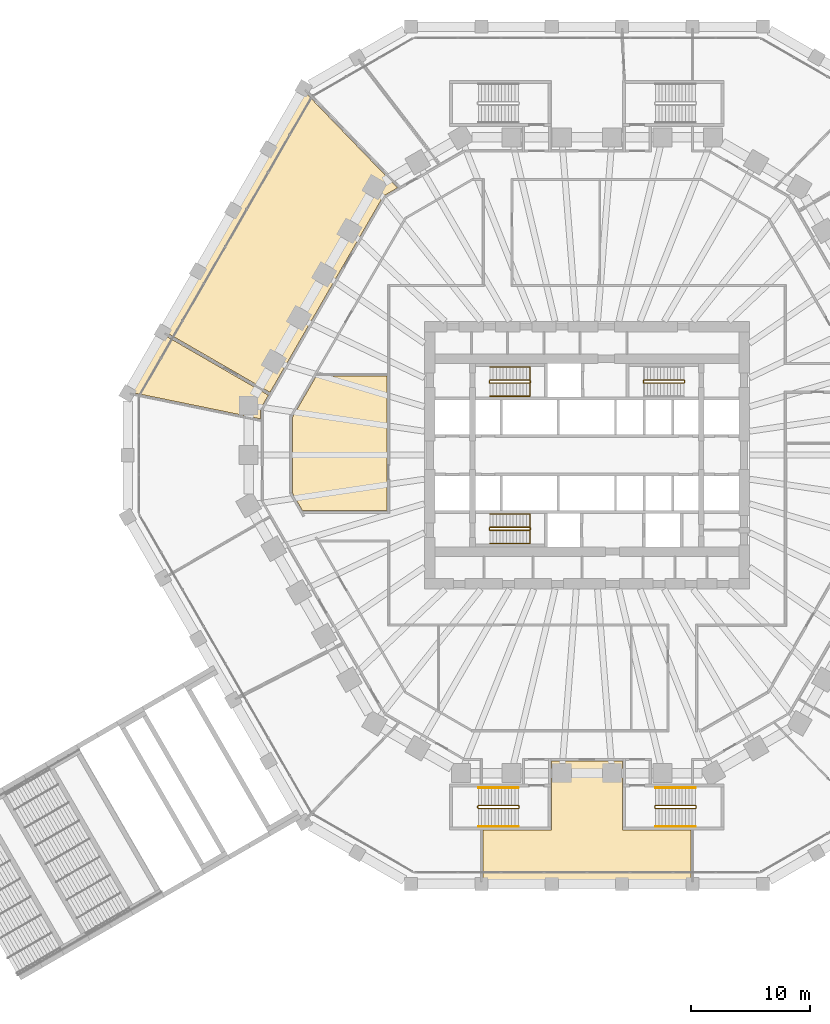
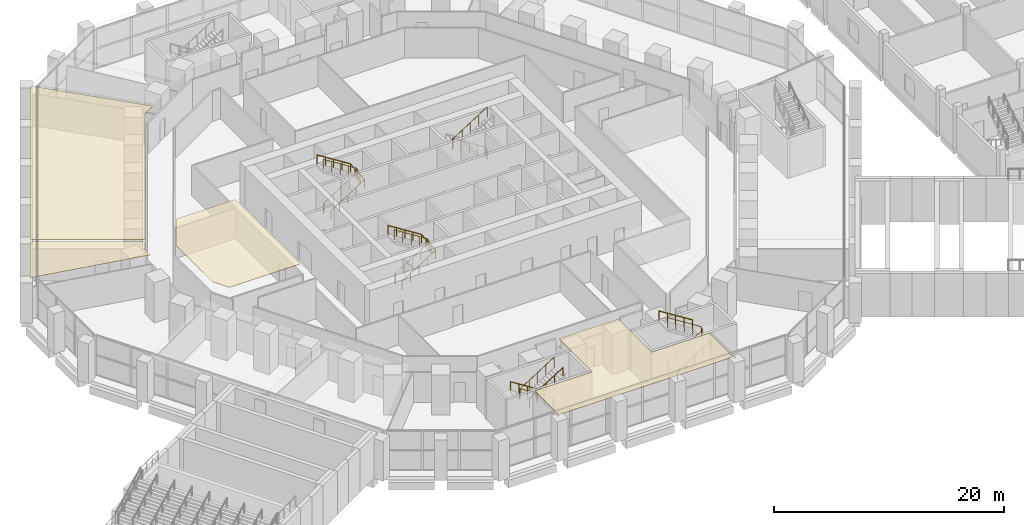
# One storey, part 33 of 38: 11 railings, 4 coverings.
"""IFC4 building model written with IfcOpenShell, lengths in metres."""

from ifc_helpers import new_model, si_unit, direction, frame, origin, origin_2d, place, context, subcontext, project, spatial, polyline, circle, outline, extrude, material, layer, layer_set, type_object, element, save


model = new_model("IFC4")

# Units and contexts
model_context = context("Model", 3, precision=1e-05, world=origin(), true_north=direction((0.0, 1.0)))
body_context = subcontext(model_context, "Body", "Model", "MODEL_VIEW")
ifc_project = project(units=[si_unit("LENGTHUNIT", "METRE"), si_unit("AREAUNIT", "SQUARE_METRE"), si_unit("VOLUMEUNIT", "CUBIC_METRE"), si_unit("PLANEANGLEUNIT", "RADIAN"), si_unit("MASSUNIT", "GRAM", prefix="KILO")], contexts=[model_context])

# Site, building, storey
site_placement = place(None, origin())
site = spatial("IfcSite", under=ifc_project, at=site_placement, CompositionType="ELEMENT")
building_placement = place(site_placement, origin())
building = spatial("IfcBuilding", under=site, at=building_placement, Name="Frailejon Research Tower", CompositionType="ELEMENT")
storey_placement = place(building_placement, frame((0.0, 0.0, 5.60009765625)))
storey = spatial("IfcBuildingStorey", under=building, at=storey_placement, Name="L01", CompositionType="ELEMENT", Elevation=5.60009765625)

# Railings
ifc_material_1 = material(Name="Stainless steel", Category="steel")
railing_type_1 = type_object("IfcRailingType", Name="Stair guard 1100", PredefinedType="GUARDRAIL", material=ifc_material_1)
railing_1_placement = place(storey_placement, frame((-8.199951171875, 6.25, 0.0)))
element("IfcRailing", 1, at=railing_1_placement, inside=storey, type_object=railing_type_1, Name="L01 ST1 stair guard 1", PredefinedType="GUARDRAIL", context=body_context, shape_type="SweptSolid", body=[
    extrude(circle(Radius=0.02392578125, at=origin_2d()), frame((0.0, 0.0, 1.076171875), z_axis=(0.0, -1.0, 0.0), x_axis=(1.0, 0.0, 0.0)), (0.0, 0.0, 1.0), 0.14990234375),
    extrude(circle(Radius=0.02392578125, at=origin_2d()), frame((0.0, -0.14990234375, 1.076171875), z_axis=(0.262858103699, -0.262858103699, 0.928337888185), x_axis=(0.707106781187, 0.707106781187, 0.0)), (0.0, 0.0, 1.0), 0.1904296875),
    extrude(circle(Radius=0.02392578125, at=origin_2d()), frame((0.050048828125, -0.199951171875, 1.2529296875), z_axis=(0.845372108799, 0.0, 0.534177870812), x_axis=(0.0, 1.0, 0.0)), (0.0, 0.0, 1.0), 3.974365234375),
    extrude(circle(Radius=0.02392578125, at=origin_2d()), frame((3.409912109375, -0.199951171875, 3.3759765625), z_axis=(0.707106781187, 0.707106781187, 0.0), x_axis=(-0.707106781187, 0.707106781187, 0.0)), (0.0, 0.0, 1.0), 0.07080078125),
    extrude(circle(Radius=0.02392578125, at=origin_2d()), frame((3.4599609375, -0.14990234375, 3.3759765625), z_axis=(0.0, 1.0, 0.0), x_axis=(-1.0, 0.0, 0.0)), (0.0, 0.0, 1.0), 0.14990234375),
    extrude(circle(Radius=0.02392578125, at=origin_2d()), frame((3.4599609375, 0.0, 3.3759765625), z_axis=(-0.262545553595, 0.262545553595, 0.928514762713), x_axis=(-0.707106781187, -0.707106781187, 0.0)), (0.0, 0.0, 1.0), 0.190673828125),
    extrude(circle(Radius=0.02392578125, at=origin_2d()), frame((3.409912109375, 0.050048828125, 3.552734375), z_axis=(-0.845372108799, 0.0, 0.534177870812), x_axis=(0.0, -1.0, 0.0)), (0.0, 0.0, 1.0), 3.974365234375),
    extrude(circle(Radius=0.02099609375, at=origin_2d()), origin(), (0.0, 0.0, 1.0), 1.052001953125),
    extrude(circle(Radius=0.02099609375, at=origin_2d()), frame((0.0, -0.14990234375, 0.0)), (0.0, 0.0, 1.0), 1.052001953125),
    extrude(circle(Radius=0.02099609375, at=origin_2d()), frame((0.050048828125, -0.199951171875, 0.1767578125)), (0.0, 0.0, 1.0), 1.052001953125),
    extrude(circle(Radius=0.02099609375, at=origin_2d()), frame((0.89013671875, -0.199951171875, 0.70751953125)), (0.0, 0.0, 1.0), 1.052001953125),
    extrude(circle(Radius=0.02099609375, at=origin_2d()), frame((1.72998046875, -0.199951171875, 1.23828125)), (0.0, 0.0, 1.0), 1.052001953125),
    extrude(circle(Radius=0.02099609375, at=origin_2d()), frame((2.56982421875, -0.199951171875, 1.76904296875)), (0.0, 0.0, 1.0), 1.052001953125),
    extrude(circle(Radius=0.02099609375, at=origin_2d()), frame((3.409912109375, -0.199951171875, 2.2998046875)), (0.0, 0.0, 1.0), 1.052001953125),
    extrude(circle(Radius=0.02099609375, at=origin_2d()), frame((3.4599609375, -0.14990234375, 2.2998046875)), (0.0, 0.0, 1.0), 1.052001953125),
    extrude(circle(Radius=0.02099609375, at=origin_2d()), frame((3.4599609375, 0.0, 2.2998046875)), (0.0, 0.0, 1.0), 1.052001953125),
    extrude(circle(Radius=0.02099609375, at=origin_2d()), frame((3.409912109375, 0.050048828125, 2.476806640625)), (0.0, 0.0, 1.0), 1.052001953125),
    extrude(circle(Radius=0.02099609375, at=origin_2d()), frame((2.56982421875, 0.050048828125, 3.007568359375)), (0.0, 0.0, 1.0), 1.052001953125),
    extrude(circle(Radius=0.02099609375, at=origin_2d()), frame((1.72998046875, 0.050048828125, 3.538330078125)), (0.0, 0.0, 1.0), 1.052001953125),
    extrude(circle(Radius=0.02099609375, at=origin_2d()), frame((0.89013671875, 0.050048828125, 4.069091796875)), (0.0, 0.0, 1.0), 1.052001953125),
    extrude(circle(Radius=0.02099609375, at=origin_2d()), frame((0.050048828125, 0.050048828125, 4.599853515625)), (0.0, 0.0, 1.0), 1.052001953125),
])
railing_2_placement = place(storey_placement, frame((-8.199951171875, -6.10009765625, 0.0)))
element("IfcRailing", 2, at=railing_2_placement, inside=storey, type_object=railing_type_1, Name="L01 ST2 stair guard 1", PredefinedType="GUARDRAIL", context=body_context, shape_type="SweptSolid", body=[
    extrude(circle(Radius=0.02392578125, at=origin_2d()), frame((0.0, 0.0, 1.076171875), z_axis=(0.0, -1.0, 0.0), x_axis=(1.0, 0.0, 0.0)), (0.0, 0.0, 1.0), 0.14990234375),
    extrude(circle(Radius=0.02392578125, at=origin_2d()), frame((0.0, -0.14990234375, 1.076171875), z_axis=(0.262858103699, -0.262858103699, 0.928337888185), x_axis=(0.707106781187, 0.707106781187, 0.0)), (0.0, 0.0, 1.0), 0.1904296875),
    extrude(circle(Radius=0.02392578125, at=origin_2d()), frame((0.050048828125, -0.199951171875, 1.2529296875), z_axis=(0.845372108799, 0.0, 0.534177870812), x_axis=(0.0, 1.0, 0.0)), (0.0, 0.0, 1.0), 3.974365234375),
    extrude(circle(Radius=0.02392578125, at=origin_2d()), frame((3.409912109375, -0.199951171875, 3.3759765625), z_axis=(0.707106781187, 0.707106781187, 0.0), x_axis=(-0.707106781187, 0.707106781187, 0.0)), (0.0, 0.0, 1.0), 0.07080078125),
    extrude(circle(Radius=0.02392578125, at=origin_2d()), frame((3.4599609375, -0.14990234375, 3.3759765625), z_axis=(0.0, 1.0, 0.0), x_axis=(-1.0, 0.0, 0.0)), (0.0, 0.0, 1.0), 0.14990234375),
    extrude(circle(Radius=0.02392578125, at=origin_2d()), frame((3.4599609375, 0.0, 3.3759765625), z_axis=(-0.262545553595, 0.262545553595, 0.928514762713), x_axis=(-0.707106781187, -0.707106781187, 0.0)), (0.0, 0.0, 1.0), 0.190673828125),
    extrude(circle(Radius=0.02392578125, at=origin_2d()), frame((3.409912109375, 0.050048828125, 3.552734375), z_axis=(-0.845372108799, 0.0, 0.534177870812), x_axis=(0.0, -1.0, 0.0)), (0.0, 0.0, 1.0), 3.974365234375),
    extrude(circle(Radius=0.02099609375, at=origin_2d()), origin(), (0.0, 0.0, 1.0), 1.052001953125),
    extrude(circle(Radius=0.02099609375, at=origin_2d()), frame((0.0, -0.14990234375, 0.0)), (0.0, 0.0, 1.0), 1.052001953125),
    extrude(circle(Radius=0.02099609375, at=origin_2d()), frame((0.050048828125, -0.199951171875, 0.1767578125)), (0.0, 0.0, 1.0), 1.052001953125),
    extrude(circle(Radius=0.02099609375, at=origin_2d()), frame((0.89013671875, -0.199951171875, 0.70751953125)), (0.0, 0.0, 1.0), 1.052001953125),
    extrude(circle(Radius=0.02099609375, at=origin_2d()), frame((1.72998046875, -0.199951171875, 1.23828125)), (0.0, 0.0, 1.0), 1.052001953125),
    extrude(circle(Radius=0.02099609375, at=origin_2d()), frame((2.56982421875, -0.199951171875, 1.76904296875)), (0.0, 0.0, 1.0), 1.052001953125),
    extrude(circle(Radius=0.02099609375, at=origin_2d()), frame((3.409912109375, -0.199951171875, 2.2998046875)), (0.0, 0.0, 1.0), 1.052001953125),
    extrude(circle(Radius=0.02099609375, at=origin_2d()), frame((3.4599609375, -0.14990234375, 2.2998046875)), (0.0, 0.0, 1.0), 1.052001953125),
    extrude(circle(Radius=0.02099609375, at=origin_2d()), frame((3.4599609375, 0.0, 2.2998046875)), (0.0, 0.0, 1.0), 1.052001953125),
    extrude(circle(Radius=0.02099609375, at=origin_2d()), frame((3.409912109375, 0.050048828125, 2.476806640625)), (0.0, 0.0, 1.0), 1.052001953125),
    extrude(circle(Radius=0.02099609375, at=origin_2d()), frame((2.56982421875, 0.050048828125, 3.007568359375)), (0.0, 0.0, 1.0), 1.052001953125),
    extrude(circle(Radius=0.02099609375, at=origin_2d()), frame((1.72998046875, 0.050048828125, 3.538330078125)), (0.0, 0.0, 1.0), 1.052001953125),
    extrude(circle(Radius=0.02099609375, at=origin_2d()), frame((0.89013671875, 0.050048828125, 4.069091796875)), (0.0, 0.0, 1.0), 1.052001953125),
    extrude(circle(Radius=0.02099609375, at=origin_2d()), frame((0.050048828125, 0.050048828125, 4.599853515625)), (0.0, 0.0, 1.0), 1.052001953125),
])
railing_3_placement = place(storey_placement, frame((8.199951171875, 6.10009765625, 0.0)))
element("IfcRailing", 3, at=railing_3_placement, inside=storey, type_object=railing_type_1, Name="L01 ST3 stair guard 1", PredefinedType="GUARDRAIL", context=body_context, shape_type="SweptSolid", body=[
    extrude(circle(Radius=0.02392578125, at=origin_2d()), frame((0.0, 0.0, 1.076171875), z_axis=(0.0, 1.0, 0.0), x_axis=(-1.0, 0.0, 0.0)), (0.0, 0.0, 1.0), 0.14990234375),
    extrude(circle(Radius=0.02392578125, at=origin_2d()), frame((0.0, 0.14990234375, 1.076171875), z_axis=(-0.262858103699, 0.262858103699, 0.928337888185), x_axis=(-0.707106781187, -0.707106781187, 0.0)), (0.0, 0.0, 1.0), 0.1904296875),
    extrude(circle(Radius=0.02392578125, at=origin_2d()), frame((-0.050048828125, 0.199951171875, 1.2529296875), z_axis=(-0.845372108799, 0.0, 0.534177870812), x_axis=(0.0, -1.0, 0.0)), (0.0, 0.0, 1.0), 3.974365234375),
    extrude(circle(Radius=0.02392578125, at=origin_2d()), frame((-3.409912109375, 0.199951171875, 3.3759765625), z_axis=(-0.707106781187, -0.707106781187, 0.0), x_axis=(0.707106781187, -0.707106781187, 0.0)), (0.0, 0.0, 1.0), 0.07080078125),
    extrude(circle(Radius=0.02392578125, at=origin_2d()), frame((-3.4599609375, 0.14990234375, 3.3759765625), z_axis=(0.0, -1.0, 0.0), x_axis=(1.0, 0.0, 0.0)), (0.0, 0.0, 1.0), 0.14990234375),
    extrude(circle(Radius=0.02392578125, at=origin_2d()), frame((-3.4599609375, 0.0, 3.3759765625), z_axis=(0.262545553595, -0.262545553595, 0.928514762713), x_axis=(0.707106781187, 0.707106781187, 0.0)), (0.0, 0.0, 1.0), 0.190673828125),
    extrude(circle(Radius=0.02392578125, at=origin_2d()), frame((-3.409912109375, -0.050048828125, 3.552734375), z_axis=(0.845372108799, 0.0, 0.534177870812), x_axis=(0.0, 1.0, 0.0)), (0.0, 0.0, 1.0), 3.974365234375),
    extrude(circle(Radius=0.02099609375, at=origin_2d()), origin(), (0.0, 0.0, 1.0), 1.052001953125),
    extrude(circle(Radius=0.02099609375, at=origin_2d()), frame((0.0, 0.14990234375, 0.0)), (0.0, 0.0, 1.0), 1.052001953125),
    extrude(circle(Radius=0.02099609375, at=origin_2d()), frame((-0.050048828125, 0.199951171875, 0.1767578125)), (0.0, 0.0, 1.0), 1.052001953125),
    extrude(circle(Radius=0.02099609375, at=origin_2d()), frame((-0.89013671875, 0.199951171875, 0.70751953125)), (0.0, 0.0, 1.0), 1.052001953125),
    extrude(circle(Radius=0.02099609375, at=origin_2d()), frame((-1.72998046875, 0.199951171875, 1.23828125)), (0.0, 0.0, 1.0), 1.052001953125),
    extrude(circle(Radius=0.02099609375, at=origin_2d()), frame((-2.56982421875, 0.199951171875, 1.76904296875)), (0.0, 0.0, 1.0), 1.052001953125),
    extrude(circle(Radius=0.02099609375, at=origin_2d()), frame((-3.409912109375, 0.199951171875, 2.2998046875)), (0.0, 0.0, 1.0), 1.052001953125),
    extrude(circle(Radius=0.02099609375, at=origin_2d()), frame((-3.4599609375, 0.14990234375, 2.2998046875)), (0.0, 0.0, 1.0), 1.052001953125),
    extrude(circle(Radius=0.02099609375, at=origin_2d()), frame((-3.4599609375, 0.0, 2.2998046875)), (0.0, 0.0, 1.0), 1.052001953125),
    extrude(circle(Radius=0.02099609375, at=origin_2d()), frame((-3.409912109375, -0.050048828125, 2.476806640625)), (0.0, 0.0, 1.0), 1.052001953125),
    extrude(circle(Radius=0.02099609375, at=origin_2d()), frame((-2.56982421875, -0.050048828125, 3.007568359375)), (0.0, 0.0, 1.0), 1.052001953125),
    extrude(circle(Radius=0.02099609375, at=origin_2d()), frame((-1.72998046875, -0.050048828125, 3.538330078125)), (0.0, 0.0, 1.0), 1.052001953125),
    extrude(circle(Radius=0.02099609375, at=origin_2d()), frame((-0.89013671875, -0.050048828125, 4.069091796875)), (0.0, 0.0, 1.0), 1.052001953125),
    extrude(circle(Radius=0.02099609375, at=origin_2d()), frame((-0.050048828125, -0.050048828125, 4.599853515625)), (0.0, 0.0, 1.0), 1.052001953125),
])
railing_4_placement = place(storey_placement, frame((-5.70703125, -29.625, 0.0)))
element("IfcRailing", 4, at=railing_4_placement, inside=storey, type_object=railing_type_1, Name="L01 PS3 stair guard 1", PredefinedType="GUARDRAIL", context=body_context, shape_type="SweptSolid", body=[
    extrude(circle(Radius=0.02392578125, at=origin_2d()), frame((0.0, 0.0, 1.076171875), z_axis=(0.0, 1.0, 0.0), x_axis=(-1.0, 0.0, 0.0)), (0.0, 0.0, 1.0), 0.14990234375),
    extrude(circle(Radius=0.02392578125, at=origin_2d()), frame((0.0, 0.14990234375, 1.076171875), z_axis=(-0.261663861435, 0.262946527422, 0.928650174897), x_axis=(-0.708833529934, -0.705375805398, 0.0)), (0.0, 0.0, 1.0), 0.1904296875),
    extrude(circle(Radius=0.02392578125, at=origin_2d()), frame((-0.0498046875, 0.199951171875, 1.2529296875), z_axis=(-0.845389635667, 0.0, 0.534150132366), x_axis=(0.0, -1.0, 0.0)), (0.0, 0.0, 1.0), 3.974609375),
    extrude(circle(Radius=0.02392578125, at=origin_2d()), frame((-3.409912109375, 0.199951171875, 3.3759765625), z_axis=(-0.707106781187, -0.707106781187, 0.0), x_axis=(0.707106781187, -0.707106781187, 0.0)), (0.0, 0.0, 1.0), 0.07080078125),
    extrude(circle(Radius=0.02392578125, at=origin_2d()), frame((-3.4599609375, 0.14990234375, 3.3759765625), z_axis=(0.0, -1.0, 0.0), x_axis=(1.0, 0.0, 0.0)), (0.0, 0.0, 1.0), 0.14990234375),
    extrude(circle(Radius=0.02392578125, at=origin_2d()), frame((-3.4599609375, 0.0, 3.3759765625), z_axis=(0.262545553595, -0.262545553595, 0.928514762713), x_axis=(0.707106781187, 0.707106781187, 0.0)), (0.0, 0.0, 1.0), 0.190673828125),
    extrude(circle(Radius=0.02392578125, at=origin_2d()), frame((-3.409912109375, -0.050048828125, 3.552734375), z_axis=(0.845389635667, 0.0, 0.534150132366), x_axis=(0.0, 1.0, 0.0)), (0.0, 0.0, 1.0), 3.974609375),
    extrude(circle(Radius=0.02099609375, at=origin_2d()), origin(), (0.0, 0.0, 1.0), 1.052001953125),
    extrude(circle(Radius=0.02099609375, at=origin_2d()), frame((0.0, 0.14990234375, 0.0)), (0.0, 0.0, 1.0), 1.052001953125),
    extrude(circle(Radius=0.02099609375, at=origin_2d()), frame((-0.0498046875, 0.199951171875, 0.1767578125)), (0.0, 0.0, 1.0), 1.052001953125),
    extrude(circle(Radius=0.02099609375, at=origin_2d()), frame((-0.889892578125, 0.199951171875, 0.70751953125)), (0.0, 0.0, 1.0), 1.052001953125),
    extrude(circle(Radius=0.02099609375, at=origin_2d()), frame((-1.72998046875, 0.199951171875, 1.23828125)), (0.0, 0.0, 1.0), 1.052001953125),
    extrude(circle(Radius=0.02099609375, at=origin_2d()), frame((-2.56982421875, 0.199951171875, 1.76904296875)), (0.0, 0.0, 1.0), 1.052001953125),
    extrude(circle(Radius=0.02099609375, at=origin_2d()), frame((-3.409912109375, 0.199951171875, 2.2998046875)), (0.0, 0.0, 1.0), 1.052001953125),
    extrude(circle(Radius=0.02099609375, at=origin_2d()), frame((-3.4599609375, 0.14990234375, 2.2998046875)), (0.0, 0.0, 1.0), 1.052001953125),
    extrude(circle(Radius=0.02099609375, at=origin_2d()), frame((-3.4599609375, 0.0, 2.2998046875)), (0.0, 0.0, 1.0), 1.052001953125),
    extrude(circle(Radius=0.02099609375, at=origin_2d()), frame((-3.409912109375, -0.050048828125, 2.476806640625)), (0.0, 0.0, 1.0), 1.052001953125),
    extrude(circle(Radius=0.02099609375, at=origin_2d()), frame((-2.56982421875, -0.050048828125, 3.007568359375)), (0.0, 0.0, 1.0), 1.052001953125),
    extrude(circle(Radius=0.02099609375, at=origin_2d()), frame((-1.72998046875, -0.050048828125, 3.538330078125)), (0.0, 0.0, 1.0), 1.052001953125),
    extrude(circle(Radius=0.02099609375, at=origin_2d()), frame((-0.889892578125, -0.050048828125, 4.069091796875)), (0.0, 0.0, 1.0), 1.052001953125),
    extrude(circle(Radius=0.02099609375, at=origin_2d()), frame((-0.0498046875, -0.050048828125, 4.599853515625)), (0.0, 0.0, 1.0), 1.052001953125),
])
railing_5_placement = place(storey_placement, frame((5.70703125, -29.47509765625, 0.0)))
element("IfcRailing", 5, at=railing_5_placement, inside=storey, type_object=railing_type_1, Name="L01 PS4 stair guard 1", PredefinedType="GUARDRAIL", context=body_context, shape_type="SweptSolid", body=[
    extrude(circle(Radius=0.02392578125, at=origin_2d()), frame((0.0, 0.0, 1.076171875), z_axis=(0.0, -1.0, 0.0), x_axis=(1.0, 0.0, 0.0)), (0.0, 0.0, 1.0), 0.14990234375),
    extrude(circle(Radius=0.02392578125, at=origin_2d()), frame((0.0, -0.14990234375, 1.076171875), z_axis=(0.261663861435, -0.262946527422, 0.928650174897), x_axis=(0.708833529934, 0.705375805398, 0.0)), (0.0, 0.0, 1.0), 0.1904296875),
    extrude(circle(Radius=0.02392578125, at=origin_2d()), frame((0.0498046875, -0.199951171875, 1.2529296875), z_axis=(0.845389635667, 0.0, 0.534150132366), x_axis=(0.0, 1.0, 0.0)), (0.0, 0.0, 1.0), 3.974609375),
    extrude(circle(Radius=0.02392578125, at=origin_2d()), frame((3.409912109375, -0.199951171875, 3.3759765625), z_axis=(0.707106781187, 0.707106781187, 0.0), x_axis=(-0.707106781187, 0.707106781187, 0.0)), (0.0, 0.0, 1.0), 0.07080078125),
    extrude(circle(Radius=0.02392578125, at=origin_2d()), frame((3.4599609375, -0.14990234375, 3.3759765625), z_axis=(0.0, 1.0, 0.0), x_axis=(-1.0, 0.0, 0.0)), (0.0, 0.0, 1.0), 0.14990234375),
    extrude(circle(Radius=0.02392578125, at=origin_2d()), frame((3.4599609375, 0.0, 3.3759765625), z_axis=(-0.262545553595, 0.262545553595, 0.928514762713), x_axis=(-0.707106781187, -0.707106781187, 0.0)), (0.0, 0.0, 1.0), 0.190673828125),
    extrude(circle(Radius=0.02392578125, at=origin_2d()), frame((3.409912109375, 0.050048828125, 3.552734375), z_axis=(-0.845389635667, 0.0, 0.534150132366), x_axis=(0.0, -1.0, 0.0)), (0.0, 0.0, 1.0), 3.974609375),
    extrude(circle(Radius=0.02099609375, at=origin_2d()), origin(), (0.0, 0.0, 1.0), 1.052001953125),
    extrude(circle(Radius=0.02099609375, at=origin_2d()), frame((0.0, -0.14990234375, 0.0)), (0.0, 0.0, 1.0), 1.052001953125),
    extrude(circle(Radius=0.02099609375, at=origin_2d()), frame((0.0498046875, -0.199951171875, 0.1767578125)), (0.0, 0.0, 1.0), 1.052001953125),
    extrude(circle(Radius=0.02099609375, at=origin_2d()), frame((0.889892578125, -0.199951171875, 0.70751953125)), (0.0, 0.0, 1.0), 1.052001953125),
    extrude(circle(Radius=0.02099609375, at=origin_2d()), frame((1.72998046875, -0.199951171875, 1.23828125)), (0.0, 0.0, 1.0), 1.052001953125),
    extrude(circle(Radius=0.02099609375, at=origin_2d()), frame((2.56982421875, -0.199951171875, 1.76904296875)), (0.0, 0.0, 1.0), 1.052001953125),
    extrude(circle(Radius=0.02099609375, at=origin_2d()), frame((3.409912109375, -0.199951171875, 2.2998046875)), (0.0, 0.0, 1.0), 1.052001953125),
    extrude(circle(Radius=0.02099609375, at=origin_2d()), frame((3.4599609375, -0.14990234375, 2.2998046875)), (0.0, 0.0, 1.0), 1.052001953125),
    extrude(circle(Radius=0.02099609375, at=origin_2d()), frame((3.4599609375, 0.0, 2.2998046875)), (0.0, 0.0, 1.0), 1.052001953125),
    extrude(circle(Radius=0.02099609375, at=origin_2d()), frame((3.409912109375, 0.050048828125, 2.476806640625)), (0.0, 0.0, 1.0), 1.052001953125),
    extrude(circle(Radius=0.02099609375, at=origin_2d()), frame((2.56982421875, 0.050048828125, 3.007568359375)), (0.0, 0.0, 1.0), 1.052001953125),
    extrude(circle(Radius=0.02099609375, at=origin_2d()), frame((1.72998046875, 0.050048828125, 3.538330078125)), (0.0, 0.0, 1.0), 1.052001953125),
    extrude(circle(Radius=0.02099609375, at=origin_2d()), frame((0.889892578125, 0.050048828125, 4.069091796875)), (0.0, 0.0, 1.0), 1.052001953125),
    extrude(circle(Radius=0.02099609375, at=origin_2d()), frame((0.0498046875, 0.050048828125, 4.599853515625)), (0.0, 0.0, 1.0), 1.052001953125),
])
ifc_material_2 = material(Name="Stainless steel", Category="steel")
railing_type_2 = type_object("IfcRailingType", Name="Stair handrail 900", PredefinedType="HANDRAIL", material=ifc_material_2)
railing_6_placement = place(storey_placement, frame((-8.14990234375, 4.949951171875, 0.1767578125)))
element("IfcRailing", 6, at=railing_6_placement, inside=storey, type_object=railing_type_2, Name="L01 ST1 stair handrail 1", PredefinedType="HANDRAIL", context=body_context, shape_type="SweptSolid", body=[
    extrude(circle(Radius=0.02392578125, at=origin_2d()), frame((0.0, 0.0, 0.8759765625), z_axis=(0.845372108799, 0.0, 0.534177870812), x_axis=(0.0, 1.0, 0.0)), (0.0, 0.0, 1.0), 3.974365234375),
    extrude(circle(Radius=0.02392578125, at=origin_2d()), frame((3.35986328125, 0.0, 2.9990234375), z_axis=(0.0, 0.997400348276, 0.072059317638), x_axis=(-1.0, 0.0, 0.0)), (0.0, 0.0, 1.0), 2.456298828125),
    extrude(circle(Radius=0.02392578125, at=origin_2d()), frame((3.35986328125, 2.449951171875, 3.17578125), z_axis=(-0.845372108799, 0.0, 0.534177870812), x_axis=(0.0, -1.0, 0.0)), (0.0, 0.0, 1.0), 3.974365234375),
    extrude(circle(Radius=0.02099609375, at=origin_2d()), origin(), (0.0, 0.0, 1.0), 0.851806640625),
    extrude(circle(Radius=0.02099609375, at=origin_2d()), frame((0.83984375, 0.0, 0.53076171875)), (0.0, 0.0, 1.0), 0.851806640625),
    extrude(circle(Radius=0.02099609375, at=origin_2d()), frame((1.679931640625, 0.0, 1.0615234375)), (0.0, 0.0, 1.0), 0.851806640625),
    extrude(circle(Radius=0.02099609375, at=origin_2d()), frame((2.52001953125, 0.0, 1.59228515625)), (0.0, 0.0, 1.0), 0.851806640625),
    extrude(circle(Radius=0.02099609375, at=origin_2d()), frame((3.35986328125, 0.0, 2.123046875)), (0.0, 0.0, 1.0), 0.851806640625),
    extrude(circle(Radius=0.02099609375, at=origin_2d()), frame((3.35986328125, 0.816650390625, 2.18212890625)), (0.0, 0.0, 1.0), 0.851806640625),
    extrude(circle(Radius=0.02099609375, at=origin_2d()), frame((3.35986328125, 1.63330078125, 2.240966796875)), (0.0, 0.0, 1.0), 0.851806640625),
    extrude(circle(Radius=0.02099609375, at=origin_2d()), frame((3.35986328125, 2.449951171875, 2.300048828125)), (0.0, 0.0, 1.0), 0.851806640625),
    extrude(circle(Radius=0.02099609375, at=origin_2d()), frame((2.52001953125, 2.449951171875, 2.830810546875)), (0.0, 0.0, 1.0), 0.851806640625),
    extrude(circle(Radius=0.02099609375, at=origin_2d()), frame((1.679931640625, 2.449951171875, 3.361572265625)), (0.0, 0.0, 1.0), 0.851806640625),
    extrude(circle(Radius=0.02099609375, at=origin_2d()), frame((0.83984375, 2.449951171875, 3.892333984375)), (0.0, 0.0, 1.0), 0.851806640625),
    extrude(circle(Radius=0.02099609375, at=origin_2d()), frame((0.0, 2.449951171875, 4.423095703125)), (0.0, 0.0, 1.0), 0.851806640625),
])
railing_7_placement = place(storey_placement, frame((-8.14990234375, -7.39990234375, 0.1767578125)))
element("IfcRailing", 7, at=railing_7_placement, inside=storey, type_object=railing_type_2, Name="L01 ST2 stair handrail 1", PredefinedType="HANDRAIL", context=body_context, shape_type="SweptSolid", body=[
    extrude(circle(Radius=0.02392578125, at=origin_2d()), frame((0.0, 0.0, 0.8759765625), z_axis=(0.845372108799, 0.0, 0.534177870812), x_axis=(0.0, 1.0, 0.0)), (0.0, 0.0, 1.0), 3.974365234375),
    extrude(circle(Radius=0.02392578125, at=origin_2d()), frame((3.35986328125, 0.0, 2.9990234375), z_axis=(0.0, 0.997400348276, 0.072059317638), x_axis=(-1.0, 0.0, 0.0)), (0.0, 0.0, 1.0), 2.456298828125),
    extrude(circle(Radius=0.02392578125, at=origin_2d()), frame((3.35986328125, 2.449951171875, 3.17578125), z_axis=(-0.845372108799, 0.0, 0.534177870812), x_axis=(0.0, -1.0, 0.0)), (0.0, 0.0, 1.0), 3.974365234375),
    extrude(circle(Radius=0.02099609375, at=origin_2d()), origin(), (0.0, 0.0, 1.0), 0.851806640625),
    extrude(circle(Radius=0.02099609375, at=origin_2d()), frame((0.83984375, 0.0, 0.53076171875)), (0.0, 0.0, 1.0), 0.851806640625),
    extrude(circle(Radius=0.02099609375, at=origin_2d()), frame((1.679931640625, 0.0, 1.0615234375)), (0.0, 0.0, 1.0), 0.851806640625),
    extrude(circle(Radius=0.02099609375, at=origin_2d()), frame((2.52001953125, 0.0, 1.59228515625)), (0.0, 0.0, 1.0), 0.851806640625),
    extrude(circle(Radius=0.02099609375, at=origin_2d()), frame((3.35986328125, 0.0, 2.123046875)), (0.0, 0.0, 1.0), 0.851806640625),
    extrude(circle(Radius=0.02099609375, at=origin_2d()), frame((3.35986328125, 0.816650390625, 2.18212890625)), (0.0, 0.0, 1.0), 0.851806640625),
    extrude(circle(Radius=0.02099609375, at=origin_2d()), frame((3.35986328125, 1.63330078125, 2.240966796875)), (0.0, 0.0, 1.0), 0.851806640625),
    extrude(circle(Radius=0.02099609375, at=origin_2d()), frame((3.35986328125, 2.449951171875, 2.300048828125)), (0.0, 0.0, 1.0), 0.851806640625),
    extrude(circle(Radius=0.02099609375, at=origin_2d()), frame((2.52001953125, 2.449951171875, 2.830810546875)), (0.0, 0.0, 1.0), 0.851806640625),
    extrude(circle(Radius=0.02099609375, at=origin_2d()), frame((1.679931640625, 2.449951171875, 3.361572265625)), (0.0, 0.0, 1.0), 0.851806640625),
    extrude(circle(Radius=0.02099609375, at=origin_2d()), frame((0.83984375, 2.449951171875, 3.892333984375)), (0.0, 0.0, 1.0), 0.851806640625),
    extrude(circle(Radius=0.02099609375, at=origin_2d()), frame((0.0, 2.449951171875, 4.423095703125)), (0.0, 0.0, 1.0), 0.851806640625),
])
railing_8_placement = place(storey_placement, frame((-5.7568359375, -27.925048828125, 0.1767578125)))
element("IfcRailing", 8, at=railing_8_placement, inside=storey, type_object=railing_type_2, Name="L01 PS3 stair handrail 1", PredefinedType="HANDRAIL", context=body_context, shape_type="SweptSolid", body=[
    extrude(circle(Radius=0.02392578125, at=origin_2d()), frame((0.0, 0.0, 0.8759765625), z_axis=(-0.845389635667, 0.0, 0.534150132366), x_axis=(0.0, -1.0, 0.0)), (0.0, 0.0, 1.0), 3.974609375),
    extrude(circle(Radius=0.02099609375, at=origin_2d()), origin(), (0.0, 0.0, 1.0), 0.851806640625),
    extrude(circle(Radius=0.02099609375, at=origin_2d()), frame((-0.840087890625, 0.0, 0.53076171875)), (0.0, 0.0, 1.0), 0.851806640625),
    extrude(circle(Radius=0.02099609375, at=origin_2d()), frame((-1.68017578125, 0.0, 1.0615234375)), (0.0, 0.0, 1.0), 0.851806640625),
    extrude(circle(Radius=0.02099609375, at=origin_2d()), frame((-2.52001953125, 0.0, 1.59228515625)), (0.0, 0.0, 1.0), 0.851806640625),
    extrude(circle(Radius=0.02099609375, at=origin_2d()), frame((-3.360107421875, 0.0, 2.123046875)), (0.0, 0.0, 1.0), 0.851806640625),
])
for number, where, name in (
    (9, (-9.116943359375, -31.175048828125, 2.476806640625), "L01 PS3 stair handrail 2"),
    (10, (5.7568359375, -31.175048828125, 0.1767578125), "L01 PS4 stair handrail 1"),
):
    element("IfcRailing", number, at=place(storey_placement, frame(where)), inside=storey, type_object=railing_type_2, Name=name, PredefinedType="HANDRAIL", context=body_context, shape_type="SweptSolid", body=[
        extrude(circle(Radius=0.02392578125, at=origin_2d()), frame((0.0, 0.0, 0.8759765625), z_axis=(0.845389635667, 0.0, 0.534150132366), x_axis=(0.0, 1.0, 0.0)), (0.0, 0.0, 1.0), 3.974609375),
        extrude(circle(Radius=0.02099609375, at=origin_2d()), origin(), (0.0, 0.0, 1.0), 0.851806640625),
        extrude(circle(Radius=0.02099609375, at=origin_2d()), frame((0.840087890625, 0.0, 0.53076171875)), (0.0, 0.0, 1.0), 0.851806640625),
        extrude(circle(Radius=0.02099609375, at=origin_2d()), frame((1.68017578125, 0.0, 1.0615234375)), (0.0, 0.0, 1.0), 0.851806640625),
        extrude(circle(Radius=0.02099609375, at=origin_2d()), frame((2.52001953125, 0.0, 1.59228515625)), (0.0, 0.0, 1.0), 0.851806640625),
        extrude(circle(Radius=0.02099609375, at=origin_2d()), frame((3.360107421875, 0.0, 2.123046875)), (0.0, 0.0, 1.0), 0.851806640625),
    ])
railing_9_placement = place(storey_placement, frame((9.116943359375, -27.925048828125, 2.476806640625)))
element("IfcRailing", 11, at=railing_9_placement, inside=storey, type_object=railing_type_2, Name="L01 PS4 stair handrail 2", PredefinedType="HANDRAIL", context=body_context, shape_type="SweptSolid", body=[
    extrude(circle(Radius=0.02392578125, at=origin_2d()), frame((0.0, 0.0, 0.8759765625), z_axis=(-0.845389635667, 0.0, 0.534150132366), x_axis=(0.0, -1.0, 0.0)), (0.0, 0.0, 1.0), 3.974609375),
    extrude(circle(Radius=0.02099609375, at=origin_2d()), origin(), (0.0, 0.0, 1.0), 0.851806640625),
    extrude(circle(Radius=0.02099609375, at=origin_2d()), frame((-0.840087890625, 0.0, 0.53076171875)), (0.0, 0.0, 1.0), 0.851806640625),
    extrude(circle(Radius=0.02099609375, at=origin_2d()), frame((-1.68017578125, 0.0, 1.0615234375)), (0.0, 0.0, 1.0), 0.851806640625),
    extrude(circle(Radius=0.02099609375, at=origin_2d()), frame((-2.52001953125, 0.0, 1.59228515625)), (0.0, 0.0, 1.0), 0.851806640625),
    extrude(circle(Radius=0.02099609375, at=origin_2d()), frame((-3.360107421875, 0.0, 2.123046875)), (0.0, 0.0, 1.0), 0.851806640625),
])

# Coverings
ifc_material_3 = material(Name="Mineral fibre ceiling board")
ifc_layer = layer(ifc_material_3, 0.0400390625)
ifc_layer_set = layer_set([ifc_layer], Name="Suspended ceiling 40")
covering_type = type_object("IfcCoveringType", Name="Suspended ceiling 40", PredefinedType="CEILING", material=ifc_layer_set)
covering_1_placement = place(storey_placement, frame((0.0, 0.0, 4.2099609375)))
element("IfcCovering", 12, at=covering_1_placement, inside=storey, type_object=covering_type, Name="Ceiling Conference foyer L01-017", PredefinedType="CEILING", context=body_context, shape_type="SweptSolid", body=[
    extrude(outline(polyline([(-26.613525390625, 5.283935546875), (-17.093505859375, 21.773193359375), (-15.917236328125, 22.4521484375), (-23.61181640625, 30.423095703125), (-35.247802734375, 10.268798828125), (-26.613525390625, 5.283935546875)])), origin(), (0.0, 0.0, 1.0), 0.0400390625),
])
covering_2_placement = place(storey_placement, frame((0.0, 0.0, 4.2099609375)))
element("IfcCovering", 13, at=covering_2_placement, inside=storey, type_object=covering_type, Name="Ceiling Seminar room L01-018", PredefinedType="CEILING", context=body_context, shape_type="SweptSolid", body=[
    extrude(outline(polyline([(-27.40283203125, 3.051025390625), (-27.40283203125, 3.9169921875), (-26.753662109375, 5.04150390625), (-35.3876953125, 10.026611328125), (-38.144287109375, 5.252197265625), (-27.40283203125, 3.051025390625)])), origin(), (0.0, 0.0, 1.0), 0.0400390625),
])
covering_3_placement = place(storey_placement, frame((0.0, 0.0, 4.2099609375)))
element("IfcCovering", 14, at=covering_3_placement, inside=storey, type_object=covering_type, Name="Ceiling Seminar room L01-019", PredefinedType="CEILING", context=body_context, shape_type="SweptSolid", body=[
    extrude(outline(polyline([(-24.722900390625, -3.19873046875), (-23.879150390625, -4.659912109375), (-16.7900390625, -4.659912109375), (-16.7900390625, 6.633056640625), (-22.739990234375, 6.633056640625), (-24.722900390625, 3.19873046875), (-24.722900390625, -3.19873046875)])), origin(), (0.0, 0.0, 1.0), 0.0400390625),
])
covering_4_placement = place(storey_placement, frame((0.0, 0.0, 4.2099609375)))
element("IfcCovering", 15, at=covering_4_placement, inside=storey, type_object=covering_type, Name="Ceiling Conference foyer L01-026", PredefinedType="CEILING", context=body_context, shape_type="SweptSolid", body=[
    extrude(outline(polyline([(-2.991943359375, -25.68994140625), (-2.991943359375, -31.489990234375), (-8.730712890625, -31.489990234375), (-8.730712890625, -35.659912109375), (8.730712890625, -35.659912109375), (8.730712890625, -31.489990234375), (2.991943359375, -31.489990234375), (2.991943359375, -25.68994140625), (-2.991943359375, -25.68994140625)])), origin(), (0.0, 0.0, 1.0), 0.0400390625),
])

save(model, "model.ifc")
